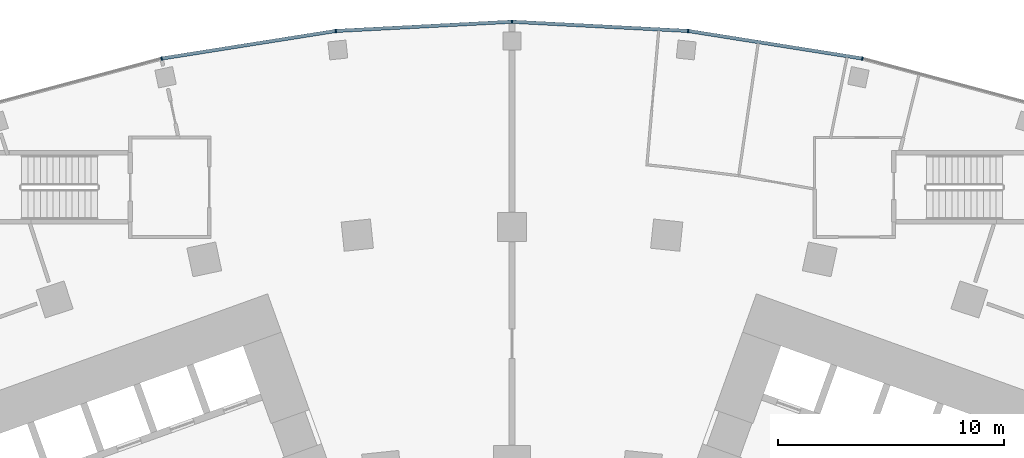
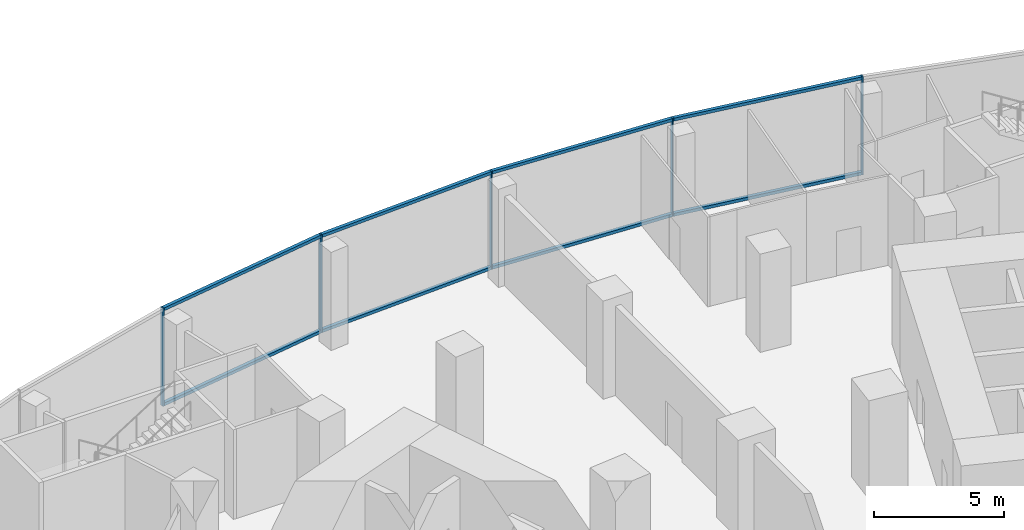
# One storey, part 14 of 40: 13 members, 1 element without a shape of its own.
"""IFC4 building model written with IfcOpenShell, lengths in metres."""

from ifc_helpers import new_model, si_unit, direction, frame, origin, origin_2d, place, context, subcontext, project, spatial, rectangle, extrude, material, layer, layer_set, material_profile, profile_set, type_object, element, aggregate, save


model = new_model("IFC4")

# Units and contexts
model_context = context("Model", 3, precision=1e-05, world=origin(), true_north=direction((0.0, 1.0)))
body_context = subcontext(model_context, "Body", "Model", "MODEL_VIEW")
ifc_project = project(units=[si_unit("LENGTHUNIT", "METRE"), si_unit("AREAUNIT", "SQUARE_METRE"), si_unit("VOLUMEUNIT", "CUBIC_METRE"), si_unit("PLANEANGLEUNIT", "RADIAN"), si_unit("MASSUNIT", "GRAM", prefix="KILO")], contexts=[model_context])

# Site, building, storey
site_placement = place(None, origin())
site = spatial("IfcSite", under=ifc_project, at=site_placement, CompositionType="ELEMENT")
building_placement = place(site_placement, origin())
building = spatial("IfcBuilding", under=site, at=building_placement, Name="Stone Belt Terrace Tower", CompositionType="ELEMENT")
storey_placement = place(building_placement, frame((0.0, 0.0, 11.60009765625)))
storey = spatial("IfcBuildingStorey", under=building, at=storey_placement, Name="L02", CompositionType="ELEMENT", Elevation=11.60009765625)

# Curtain wall, members
ifc_material = material(Name="Aluminium 6063-T6 anodised frame", Category="aluminium")
ifc_layer = layer(ifc_material, 0.14990234375)
ifc_layer_set = layer_set([ifc_layer], Name="CW-D podium shopfront")
curtain_wall_type = type_object("IfcCurtainWallType", Name="CW-D podium shopfront", PredefinedType="NOTDEFINED", material=ifc_layer_set)
curtain_wall_placement = place(storey_placement, origin())
curtain_wall = element("IfcCurtainWall", 1, at=curtain_wall_placement, inside=storey, type_object=curtain_wall_type, Name="CW-D convex face L02", PredefinedType="NOTDEFINED")
ifc_material_profile_1 = material_profile(ifc_material, rectangle(XDim=0.14990234375, YDim=0.06005859375, at=origin_2d()), Name="Aluminium 6063-T6 60x150")
ifc_profile_set_1 = profile_set([ifc_material_profile_1], Name="Aluminium 6063-T6 anodised frame")
member_type_1 = type_object("IfcMemberType", Name="CW-D mullion 60 x 150", PredefinedType="MULLION", material=ifc_profile_set_1)
member_1_placement = place(storey_placement, frame((15.505126953125, 72.945556640625, 0.0), z_axis=(0.0, 0.0, 1.0), x_axis=(-0.207911690818, -0.978147600734, 0.0)))
member_1 = element("IfcMember", 2, at=member_1_placement, type_object=member_type_1, Name="CW-D mullion 11", PredefinedType="MULLION", context=body_context, shape_type="SweptSolid", body=[
    extrude(rectangle(XDim=0.14990234375, YDim=0.06005859375, at=origin_2d()), origin(), (0.0, 0.0, 1.0), 4.599853515625),
])
member_2_placement = place(storey_placement, frame((7.795166015625, 74.16650390625, 0.0), z_axis=(0.0, 0.0, 1.0), x_axis=(-0.104528463268, -0.994521895368, 0.0)))
member_2 = element("IfcMember", 3, at=member_2_placement, type_object=member_type_1, Name="CW-D mullion 12", PredefinedType="MULLION", context=body_context, shape_type="SweptSolid", body=[
    extrude(rectangle(XDim=0.14990234375, YDim=0.06005859375, at=origin_2d()), origin(), (0.0, 0.0, 1.0), 4.599853515625),
])
member_3_placement = place(storey_placement, frame((0.0, 74.5751953125, 0.0), z_axis=(0.0, 0.0, 1.0), x_axis=(0.0, -1.0, 0.0)))
member_3 = element("IfcMember", 4, at=member_3_placement, type_object=member_type_1, Name="CW-D mullion 13", PredefinedType="MULLION", context=body_context, shape_type="SweptSolid", body=[
    extrude(rectangle(XDim=0.14990234375, YDim=0.06005859375, at=origin_2d()), origin(), (0.0, 0.0, 1.0), 4.599853515625),
])
member_4_placement = place(storey_placement, frame((-7.795166015625, 74.16650390625, 0.0), z_axis=(0.0, 0.0, 1.0), x_axis=(0.104528463268, -0.994521895368, 0.0)))
member_4 = element("IfcMember", 5, at=member_4_placement, type_object=member_type_1, Name="CW-D mullion 14", PredefinedType="MULLION", context=body_context, shape_type="SweptSolid", body=[
    extrude(rectangle(XDim=0.14990234375, YDim=0.06005859375, at=origin_2d()), origin(), (0.0, 0.0, 1.0), 4.599853515625),
])
member_5_placement = place(storey_placement, frame((-15.505126953125, 72.945556640625, 0.0), z_axis=(0.0, 0.0, 1.0), x_axis=(0.207911690818, -0.978147600734, 0.0)))
member_5 = element("IfcMember", 6, at=member_5_placement, type_object=member_type_1, Name="CW-D mullion 15", PredefinedType="MULLION", context=body_context, shape_type="SweptSolid", body=[
    extrude(rectangle(XDim=0.14990234375, YDim=0.06005859375, at=origin_2d()), origin(), (0.0, 0.0, 1.0), 4.599853515625),
])
ifc_material_profile_2 = material_profile(ifc_material, rectangle(XDim=0.14990234375, YDim=0.139892578125, at=origin_2d()), Name="Aluminium 6063-T6 150x140")
ifc_profile_set_2 = profile_set([ifc_material_profile_2], Name="Aluminium 6063-T6 anodised frame")
member_type_2 = type_object("IfcMemberType", Name="CW-D transom 140 x 150", PredefinedType="USERDEFINED", material=ifc_profile_set_2)
member_6_placement = place(storey_placement, frame((15.4716796875, 72.95068359375, 0.06982421875), z_axis=(-0.987685334162, 0.156453445733, 0.0), x_axis=(-0.156453445733, -0.987685334162, 0.0)))
member_6 = element("IfcMember", 7, at=member_6_placement, type_object=member_type_2, Name="CW-D transom 11.1", ObjectType="TRANSOM", PredefinedType="USERDEFINED", context=body_context, shape_type="SweptSolid", body=[
    extrude(rectangle(XDim=0.14990234375, YDim=0.139892578125, at=origin_2d()), origin(), (0.0, 0.0, 1.0), 7.73828125),
])
member_7_placement = place(storey_placement, frame((15.4716796875, 72.95068359375, 4.52978515625), z_axis=(-0.987685334162, 0.156453445733, 0.0), x_axis=(-0.156453445733, -0.987685334162, 0.0)))
member_7 = element("IfcMember", 8, at=member_7_placement, type_object=member_type_2, Name="CW-D transom 11.2", ObjectType="TRANSOM", PredefinedType="USERDEFINED", context=body_context, shape_type="SweptSolid", body=[
    extrude(rectangle(XDim=0.14990234375, YDim=0.139892578125, at=origin_2d()), origin(), (0.0, 0.0, 1.0), 7.73828125),
])
member_8_placement = place(storey_placement, frame((7.761474609375, 74.16845703125, 0.06982421875), z_axis=(-0.998630871779, 0.052310438058, 0.0), x_axis=(-0.052310438058, -0.998630871779, 0.0)))
member_8 = element("IfcMember", 9, at=member_8_placement, type_object=member_type_2, Name="CW-D transom 12.1", ObjectType="TRANSOM", PredefinedType="USERDEFINED", context=body_context, shape_type="SweptSolid", body=[
    extrude(rectangle(XDim=0.14990234375, YDim=0.139892578125, at=origin_2d()), origin(), (0.0, 0.0, 1.0), 7.738037109375),
])
member_9_placement = place(storey_placement, frame((7.761474609375, 74.16845703125, 4.52978515625), z_axis=(-0.998630871779, 0.052310438058, 0.0), x_axis=(-0.052310438058, -0.998630871779, 0.0)))
member_9 = element("IfcMember", 10, at=member_9_placement, type_object=member_type_2, Name="CW-D transom 12.2", ObjectType="TRANSOM", PredefinedType="USERDEFINED", context=body_context, shape_type="SweptSolid", body=[
    extrude(rectangle(XDim=0.14990234375, YDim=0.139892578125, at=origin_2d()), origin(), (0.0, 0.0, 1.0), 7.738037109375),
])
member_10_placement = place(storey_placement, frame((-0.033935546875, 74.5732421875, 0.06982421875), z_axis=(-0.998630871779, -0.052310438058, 0.0), x_axis=(0.052310438058, -0.998630871779, 0.0)))
member_10 = element("IfcMember", 11, at=member_10_placement, type_object=member_type_2, Name="CW-D transom 13.1", ObjectType="TRANSOM", PredefinedType="USERDEFINED", context=body_context, shape_type="SweptSolid", body=[
    extrude(rectangle(XDim=0.14990234375, YDim=0.139892578125, at=origin_2d()), origin(), (0.0, 0.0, 1.0), 7.738037109375),
])
member_11_placement = place(storey_placement, frame((-0.033935546875, 74.5732421875, 4.52978515625), z_axis=(-0.998630871779, -0.052310438058, 0.0), x_axis=(0.052310438058, -0.998630871779, 0.0)))
member_11 = element("IfcMember", 12, at=member_11_placement, type_object=member_type_2, Name="CW-D transom 13.2", ObjectType="TRANSOM", PredefinedType="USERDEFINED", context=body_context, shape_type="SweptSolid", body=[
    extrude(rectangle(XDim=0.14990234375, YDim=0.139892578125, at=origin_2d()), origin(), (0.0, 0.0, 1.0), 7.738037109375),
])
member_12_placement = place(storey_placement, frame((-7.82861328125, 74.161376953125, 0.06982421875), z_axis=(-0.987685334162, -0.156453445733, 0.0), x_axis=(0.156453445733, -0.987685334162, 0.0)))
member_12 = element("IfcMember", 13, at=member_12_placement, type_object=member_type_2, Name="CW-D transom 14.1", ObjectType="TRANSOM", PredefinedType="USERDEFINED", context=body_context, shape_type="SweptSolid", body=[
    extrude(rectangle(XDim=0.14990234375, YDim=0.139892578125, at=origin_2d()), origin(), (0.0, 0.0, 1.0), 7.73828125),
])
member_13_placement = place(storey_placement, frame((-7.82861328125, 74.161376953125, 4.52978515625), z_axis=(-0.987685334162, -0.156453445733, 0.0), x_axis=(0.156453445733, -0.987685334162, 0.0)))
member_13 = element("IfcMember", 14, at=member_13_placement, type_object=member_type_2, Name="CW-D transom 14.2", ObjectType="TRANSOM", PredefinedType="USERDEFINED", context=body_context, shape_type="SweptSolid", body=[
    extrude(rectangle(XDim=0.14990234375, YDim=0.139892578125, at=origin_2d()), origin(), (0.0, 0.0, 1.0), 7.73828125),
])
aggregate(curtain_wall, [member_1, member_2, member_3, member_4, member_5, member_6, member_7, member_8, member_9, member_10, member_11, member_12, member_13])

save(model, "model.ifc")
